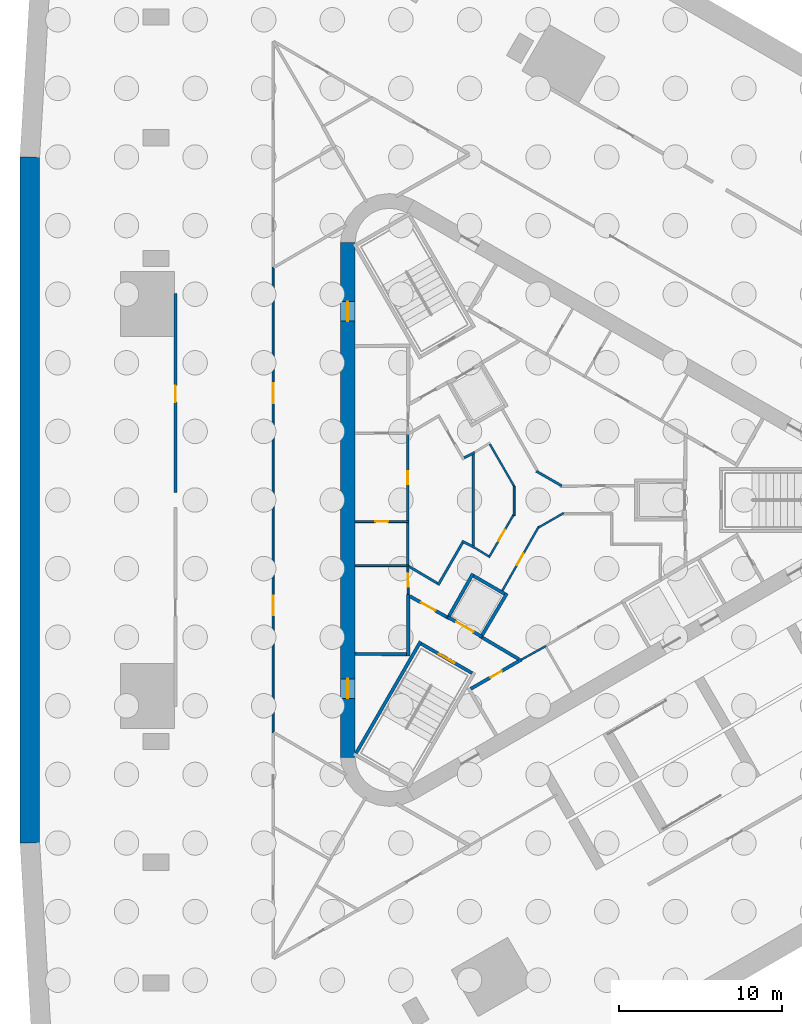
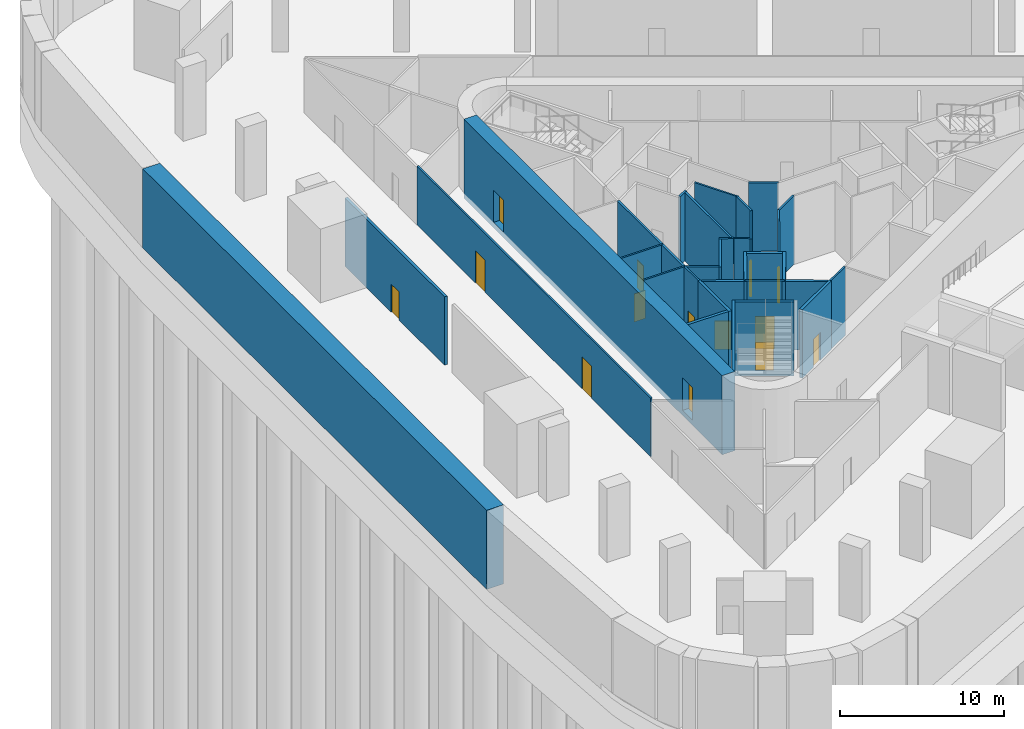
# One storey, part 5 of 13: 32 walls, 14 doors, 14 openings.
"""IFC4 building model written with IfcOpenShell, lengths in metres."""

import ifcopenshell
import ifcopenshell.guid

model = None  # the IFC model being written
_history = None  # IfcOwnerHistory: only IFC2X3 demands one
_inside = {}  # id of a spatial element -> (the spatial element, [elements in it])
_under = {}  # id of a project, library or spatial element -> (it, [spatial elements below it])
_declared = {}  # id of a project -> (the project, [libraries it declares])
_typed = {}  # id of a type object -> (the type object, [elements of that type])
_made_of = {}  # id of a material, layer set ... -> (it, [elements and type objects made of it])


def new_model(schema):
    """Start an empty IFC model of exactly this schema.

    Asked for "IFC4X3", IfcOpenShell would pick the latest addendum, in which some entities
    have other attributes; the version numbers below select the first issue.
    IFC2X3 requires an IfcOwnerHistory on every rooted entity: one is made here for all.
    """
    global model, _history
    if schema == "IFC4X3":
        model = ifcopenshell.file(schema_version=(4, 3, 0, 0))
    else:
        model = ifcopenshell.file(schema=schema)
    _inside.clear()
    _under.clear()
    _declared.clear()
    _typed.clear()
    _made_of.clear()
    _history = None
    if model.schema == "IFC2X3":
        org = make("IfcOrganization", Name="unknown")
        user = make(
            "IfcPersonAndOrganization",
            ThePerson=make("IfcPerson", FamilyName="unknown"),
            TheOrganization=org,
        )
        app = make(
            "IfcApplication",
            ApplicationDeveloper=org,
            Version="unknown",
            ApplicationFullName="unknown",
            ApplicationIdentifier="unknown",
        )
        _history = make(
            "IfcOwnerHistory",
            OwningUser=user,
            OwningApplication=app,
            ChangeAction="ADDED",
            CreationDate=0,
        )
    return model


def make(cls, **values):
    """One entity of the class cls with the attributes given. An attribute that is None is left unset."""
    return model.create_entity(
        cls, **{name: value for name, value in values.items() if value is not None}
    )


def rooted(cls, **values):
    """An entity with a GlobalId (a new one), such as an element, a storey or a relation."""
    return make(cls, GlobalId=ifcopenshell.guid.new(), OwnerHistory=_history, **values)


def si_unit(unit_type, name, prefix=None):
    """IfcSIUnit, for example si_unit("LENGTHUNIT", "METRE", prefix="MILLI")."""
    return make("IfcSIUnit", UnitType=unit_type, Prefix=prefix, Name=name)


def assignment(units):
    """IfcUnitAssignment: the units of a project."""
    return None if units is None else make("IfcUnitAssignment", Units=units)


def point(xyz):
    """IfcCartesianPoint."""
    return None if xyz is None else make("IfcCartesianPoint", Coordinates=xyz)


def direction(xyz):
    """IfcDirection."""
    return None if xyz is None else make("IfcDirection", DirectionRatios=xyz)


def frame(location, z_axis=None, x_axis=None):
    """IfcAxis2Placement3D, a coordinate frame: its origin and axes. An axis left out is left unset."""
    return make(
        "IfcAxis2Placement3D",
        Location=point(location),
        Axis=direction(z_axis),
        RefDirection=direction(x_axis),
    )


def frame_2d(location, x_axis=None):
    """IfcAxis2Placement2D, a coordinate frame in the plane: its origin and x axis."""
    return make(
        "IfcAxis2Placement2D", Location=point(location), RefDirection=direction(x_axis)
    )


def origin():
    """The frame at (0, 0, 0) with its axes left unset."""
    return frame((0.0, 0.0, 0.0))


def place(relative_to, where):
    """IfcLocalPlacement: puts the frame where relative to a parent placement (None: the world)."""
    return make(
        "IfcLocalPlacement", PlacementRelTo=relative_to, RelativePlacement=where
    )


def context(
    kind, dimensions, precision=None, world=None, true_north=None, identifier=None
):
    """IfcGeometricRepresentationContext, for example the 3D "Model" context."""
    return make(
        "IfcGeometricRepresentationContext",
        ContextIdentifier=identifier,
        ContextType=kind,
        CoordinateSpaceDimension=dimensions,
        Precision=precision,
        WorldCoordinateSystem=world,
        TrueNorth=true_north,
    )


def subcontext(parent, identifier, kind, view, scale=None):
    """IfcGeometricRepresentationSubContext, for example "Body" below "Model"."""
    return make(
        "IfcGeometricRepresentationSubContext",
        ContextIdentifier=identifier,
        ContextType=kind,
        ParentContext=parent,
        TargetScale=scale,
        TargetView=view,
    )


def project(units=None, contexts=None):
    """IfcProject with its units and contexts."""
    return rooted(
        "IfcProject",
        Name="project",
        RepresentationContexts=contexts,
        UnitsInContext=assignment(units),
    )


def spatial(cls, under=None, at=None, **own):
    """A site, building, storey or space (cls), placed at a placement, below another one or the project."""
    s = rooted(cls, ObjectPlacement=at, **own)
    if under is not None:
        _under.setdefault(under.id(), (under, []))[1].append(s)
    return s


def profile(cls, at=None, kind="AREA", **sizes):
    """A parametric profile (cls). Its sizes go by their IFC names, for example OverallWidth=200.0."""
    return make(cls, ProfileType=kind, Position=at, **sizes)


def rectangle(**sizes):
    """IfcRectangleProfileDef."""
    return profile("IfcRectangleProfileDef", **sizes)


def extrude(swept, where, along, depth):
    """IfcExtrudedAreaSolid: the profile swept, set in the frame where, extruded along a direction by depth."""
    return make(
        "IfcExtrudedAreaSolid",
        SweptArea=swept,
        Position=where,
        ExtrudedDirection=direction(along),
        Depth=depth,
    )


def shape(context_of_items, identifier, shape_type, items):
    """IfcShapeRepresentation: the items that make up one representation, for example the "Body"."""
    return make(
        "IfcShapeRepresentation",
        ContextOfItems=context_of_items,
        RepresentationIdentifier=identifier,
        RepresentationType=shape_type,
        Items=items,
    )


def material(Name=None, Category=None):
    """IfcMaterial."""
    return make("IfcMaterial", Name=Name, Category=Category)


def layer(
    of_material, thickness, ventilated=None, Name=None, Category=None, Priority=None
):
    """IfcMaterialLayer: one layer of a wall or slab, of a material (None: an air gap)."""
    return make(
        "IfcMaterialLayer",
        Material=of_material,
        LayerThickness=thickness,
        IsVentilated=ventilated,
        Name=Name,
        Category=Category,
        Priority=Priority,
    )


def layer_set(layers, Name=None):
    """IfcMaterialLayerSet."""
    return make("IfcMaterialLayerSet", MaterialLayers=layers, LayerSetName=Name)


def made_of(thing, what):
    """Note that an element or type object is made of a material, layer set ...; save() writes the relation."""
    if what is not None:
        _made_of.setdefault(what.id(), (what, []))[1].append(thing)
    return thing


def type_object(cls, material=None, **own):
    """A type object (cls), such as IfcWallType, which elements share."""
    return made_of(rooted(cls, **own), material)


def element(
    cls,
    number,
    at=None,
    inside=None,
    cuts=None,
    type_object=None,
    material=None,
    context=None,
    identifier="Body",
    shape_type=None,
    held_by="IfcProductDefinitionShape",
    body=None,
    shapes=None,
    **own,
):
    """One element of the class cls, such as IfcWall. Its Tag is "e" and its number.

    at: its placement. inside: the storey or other place that contains it. cuts: it is an
    opening in that element (IfcRelVoidsElement). A single representation is given by context,
    identifier, shape_type and body (its items); several are given by shapes. held_by: the class
    of the entity that holds the representations. save() writes the other relations.
    """
    e = rooted(cls, Tag="e%d" % number, ObjectPlacement=at, **own)
    if body is not None:
        shapes = [shape(context, identifier, shape_type, body)]
    if shapes is not None:
        e.Representation = make(held_by, Representations=shapes)
    if inside is not None:
        _inside.setdefault(inside.id(), (inside, []))[1].append(e)
    if cuts is not None:
        rooted(
            "IfcRelVoidsElement", RelatingBuildingElement=cuts, RelatedOpeningElement=e
        )
    if type_object is not None:
        _typed.setdefault(type_object.id(), (type_object, []))[1].append(e)
    return made_of(e, material)


def fill(opening, filler):
    """IfcRelFillsElement: the door or window that sits in an opening."""
    return rooted(
        "IfcRelFillsElement",
        RelatingOpeningElement=opening,
        RelatedBuildingElement=filler,
    )


def aggregate(whole, parts):
    """IfcRelAggregates: a whole, such as a stair, and the parts it consists of."""
    return rooted("IfcRelAggregates", RelatingObject=whole, RelatedObjects=parts)


def save(model, path):
    """Write the relations noted so far, then the file.

    IfcRelAggregates (storeys below a building ...), IfcRelContainedInSpatialStructure (elements
    in a storey), IfcRelDefinesByType, IfcRelAssociatesMaterial and IfcRelDeclares: one each for
    every whole, place, type object, material and project.
    """
    for whole, parts in _under.values():
        aggregate(whole, parts)
    for where, things in _inside.values():
        rooted(
            "IfcRelContainedInSpatialStructure",
            RelatedElements=things,
            RelatingStructure=where,
        )
    for kind, things in _typed.values():
        rooted("IfcRelDefinesByType", RelatedObjects=things, RelatingType=kind)
    for what, things in _made_of.values():
        rooted("IfcRelAssociatesMaterial", RelatedObjects=things, RelatingMaterial=what)
    for by, libraries in _declared.values():
        rooted("IfcRelDeclares", RelatingContext=by, RelatedDefinitions=libraries)
    model.write(path)


model = new_model("IFC4")

# Units and contexts
model_context = context("Model", 3, precision=1e-05, world=origin(), true_north=direction((0.0, 1.0)))
body_context = subcontext(model_context, "Body", "Model", "MODEL_VIEW")
ifc_project = project(units=[si_unit("LENGTHUNIT", "METRE"), si_unit("AREAUNIT", "SQUARE_METRE"), si_unit("VOLUMEUNIT", "CUBIC_METRE"), si_unit("PLANEANGLEUNIT", "RADIAN"), si_unit("MASSUNIT", "GRAM", prefix="KILO")], contexts=[model_context])

# Site, building, storey
site_placement = place(None, origin())
site = spatial("IfcSite", under=ifc_project, at=site_placement, CompositionType="ELEMENT")
building_placement = place(site_placement, origin())
building = spatial("IfcBuilding", under=site, at=building_placement, Name="Tanit Gate Tower", CompositionType="ELEMENT")
storey_placement = place(building_placement, frame((0.0, 0.0, -11.0)))
storey = spatial("IfcBuildingStorey", under=building, at=storey_placement, Name="B2", CompositionType="ELEMENT", Elevation=-11.0)

# Wall, openings, doors
ifc_material_1 = material(Name="Concrete C60/75", Category="concrete")
ifc_layer_1 = layer(ifc_material_1, 0.89990234375)
ifc_layer_set_1 = layer_set([ifc_layer_1], Name="CORE WALL 900 C60/75")
wall_type_1 = type_object("IfcWallType", Name="CORE WALL 900 C60/75", PredefinedType="SHEAR", material=ifc_layer_set_1)
wall_1_placement = place(storey_placement, frame((-11.64990234375, 15.76171875, -0.39990234375), z_axis=(0.0, 0.0, 1.0), x_axis=(0.0, -1.0, 0.0)))
wall_1 = element("IfcWall", 1, at=wall_1_placement, inside=storey, type_object=wall_type_1, Name="CORE WALL", PredefinedType="SHEAR", context=body_context, shape_type="SweptSolid", body=[
    extrude(rectangle(XDim=31.5234375, YDim=0.89990234375, at=frame_2d((15.76171875, 0.0))), origin(), (0.0, 0.0, 1.0), 5.89990234375),
])
opening_1_placement = place(wall_1_placement, frame((3.61181640625, 0.0, 0.39990234375)))
opening_1 = element("IfcOpeningElement", 2, at=opening_1_placement, cuts=wall_1, Name="Opening F12-B2-FL2", PredefinedType="OPENING", context=body_context, shape_type="SweptSolid", body=[
    extrude(rectangle(XDim=1.199951171875, YDim=2.39990234375, at=frame_2d((0.60009765625, 1.199951171875))), frame((0.0, 0.4599609375, 0.0), z_axis=(0.0, -1.0, 0.0), x_axis=(1.0, 0.0, 0.0)), (0.0, 0.0, 1.0), 0.919921875),
])
opening_2_placement = place(wall_1_placement, frame((26.711669921875, 0.0, 0.39990234375)))
opening_2 = element("IfcOpeningElement", 3, at=opening_2_placement, cuts=wall_1, Name="Opening F12-B2-S3", PredefinedType="OPENING", context=body_context, shape_type="SweptSolid", body=[
    extrude(rectangle(XDim=1.199951171875, YDim=2.39990234375, at=frame_2d((0.60009765625, 1.199951171875))), frame((0.0, 0.4599609375, 0.0), z_axis=(0.0, -1.0, 0.0), x_axis=(1.0, 0.0, 0.0)), (0.0, 0.0, 1.0), 0.919921875),
])
ifc_material_2 = material(Name="Fire-rated steel door leaf", Category="steel")
door_type_1 = type_object("IfcDoorType", Name="INT-DOOR-FIRE-LOBBY-1200", OperationType="NOTDEFINED", PredefinedType="USERDEFINED", material=ifc_material_2)
door_1_placement = place(opening_1_placement, origin())
door_1 = element("IfcDoor", 4, at=door_1_placement, inside=storey, type_object=door_type_1, Name="Door F12-B2-FL2", ObjectType="FIRE DOOR", OperationType="SINGLE_SWING_LEFT", OverallHeight=2.39990234375, OverallWidth=1.199951171875, PredefinedType="USERDEFINED", context=body_context, shape_type="SweptSolid", body=[
    extrude(rectangle(XDim=1.199951171875, YDim=2.39990234375, at=frame_2d((0.60009765625, 1.199951171875))), frame((0.0, 0.02490234375, 0.0), z_axis=(0.0, -1.0, 0.0), x_axis=(1.0, 0.0, 0.0)), (0.0, 0.0, 1.0), 0.050048828125),
])
fill(opening_1, door_1)
door_2_placement = place(opening_2_placement, origin())
door_2 = element("IfcDoor", 5, at=door_2_placement, inside=storey, type_object=door_type_1, Name="Door F12-B2-S3", ObjectType="FIRE DOOR", OperationType="SINGLE_SWING_LEFT", OverallHeight=2.39990234375, OverallWidth=1.199951171875, PredefinedType="USERDEFINED", context=body_context, shape_type="SweptSolid", body=[
    extrude(rectangle(XDim=1.199951171875, YDim=2.39990234375, at=frame_2d((0.60009765625, 1.199951171875))), frame((0.0, 0.02490234375, 0.0), z_axis=(0.0, -1.0, 0.0), x_axis=(1.0, 0.0, 0.0)), (0.0, 0.0, 1.0), 0.050048828125),
])
fill(opening_2, door_2)

# Walls
ifc_material_3 = material(Name="Concrete C35/45", Category="concrete")
ifc_layer_2 = layer(ifc_material_3, 1.199951171875)
ifc_layer_set_2 = layer_set([ifc_layer_2], Name="DIAPHRAGM WALL 1200 C35/45")
wall_type_2 = type_object("IfcWallType", Name="DIAPHRAGM WALL 1200 C35/45", PredefinedType="SHEAR", material=ifc_layer_set_2)
wall_2_placement = place(storey_placement, frame((-31.1171875, -20.98974609375, -0.39990234375), z_axis=(0.0, 0.0, 1.0), x_axis=(-6.9786511e-05, 0.999999997565, 0.0)))
element("IfcWall", 6, at=wall_2_placement, inside=storey, type_object=wall_type_2, Name="DIAPHRAGM WALL", PredefinedType="SHEAR", context=body_context, shape_type="SweptSolid", body=[
    extrude(rectangle(XDim=41.980712890625, YDim=1.199951171875, at=frame_2d((20.990234375, 0.0))), origin(), (0.0, 0.0, 1.0), 5.89990234375),
])
ifc_material_4 = material(Name="Fire-rated gypsum board partition")
ifc_layer_3 = layer(ifc_material_4, 0.199951171875)
ifc_layer_set_3 = layer_set([ifc_layer_3], Name="INT-WALL-COMPARTMENT")
wall_type_3 = type_object("IfcWallType", Name="INT-WALL-COMPARTMENT", PredefinedType="PARTITIONING", material=ifc_layer_set_3)
wall_3_placement = place(storey_placement, frame((-7.949951171875, -9.550048828125, 0.0), z_axis=(0.0, 0.0, 1.0), x_axis=(0.0, 1.0, 0.0)))
element("IfcWall", 7, at=wall_3_placement, inside=storey, type_object=wall_type_3, Name="Wall Compartment W041", PredefinedType="PARTITIONING", context=body_context, shape_type="SweptSolid", body=[
    extrude(rectangle(XDim=3.777587890625, YDim=0.199951171875, at=frame_2d((1.888671875, 0.0))), origin(), (0.0, 0.0, 1.0), 5.10009765625),
])
wall_4_placement = place(storey_placement, frame((-11.199951171875, -9.419921875, 0.0), z_axis=(0.0, 0.0, 1.0), x_axis=(0.999957467379, -0.009222983926, 0.0)))
element("IfcWall", 8, at=wall_4_placement, inside=storey, type_object=wall_type_3, Name="Wall Compartment W042", PredefinedType="PARTITIONING", context=body_context, shape_type="SweptSolid", body=[
    extrude(rectangle(XDim=3.150146484375, YDim=0.199951171875, at=frame_2d((1.5751953125, 0.0))), origin(), (0.0, 0.0, 1.0), 5.10009765625),
])

# Wall, opening, door
wall_5_placement = place(storey_placement, frame((-1.02392578125, -9.77099609375, 0.0), z_axis=(0.0, 0.0, 1.0), x_axis=(-0.866029903013, -0.499992207027, 0.0)))
wall_5 = element("IfcWall", 9, at=wall_5_placement, inside=storey, type_object=wall_type_3, Name="Wall Compartment W057", PredefinedType="PARTITIONING", context=body_context, shape_type="SweptSolid", body=[
    extrude(rectangle(XDim=3.57763671875, YDim=0.199951171875, at=frame_2d((1.788818359375, 0.0))), origin(), (0.0, 0.0, 1.0), 5.10009765625),
])
opening_3_placement = place(wall_5_placement, frame((1.388916015625, 0.0, 0.0)))
opening_3 = element("IfcOpeningElement", 10, at=opening_3_placement, cuts=wall_5, Name="Opening R08-B2-20", PredefinedType="OPENING", context=body_context, shape_type="SweptSolid", body=[
    extrude(rectangle(XDim=0.800048828125, YDim=2.10009765625, at=frame_2d((0.39990234375, 1.050048828125))), frame((0.0, 0.10986328125, 0.0), z_axis=(0.0, -1.0, 0.0), x_axis=(1.0, 0.0, 0.0)), (0.0, 0.0, 1.0), 0.219970703125),
])
ifc_material_5 = material(Name="Timber door leaf", Category="wood")
door_type_2 = type_object("IfcDoorType", Name="INT-DOOR-RISER-800", OperationType="NOTDEFINED", PredefinedType="USERDEFINED", material=ifc_material_5)
door_3_placement = place(opening_3_placement, origin())
door_3 = element("IfcDoor", 11, at=door_3_placement, inside=storey, type_object=door_type_2, Name="Door R08-B2-20", ObjectType="FIRE DOOR", OperationType="SINGLE_SWING_LEFT", OverallHeight=2.10009765625, OverallWidth=0.800048828125, PredefinedType="USERDEFINED", context=body_context, shape_type="SweptSolid", body=[
    extrude(rectangle(XDim=0.800048828125, YDim=2.10009765625, at=frame_2d((0.39990234375, 1.050048828125))), frame((0.0, 0.02490234375, 0.0), z_axis=(0.0, -1.0, 0.0), x_axis=(1.0, 0.0, 0.0)), (0.0, 0.0, 1.0), 0.050048828125),
])
fill(opening_3, door_3)

# Wall
wall_6_placement = place(storey_placement, frame((-3.400634765625, -8.43017578125, 0.0), z_axis=(0.0, 0.0, 1.0), x_axis=(0.860630814782, -0.509229418482, 0.0)))
element("IfcWall", 12, at=wall_6_placement, inside=storey, type_object=wall_type_3, Name="Wall Compartment W066", PredefinedType="PARTITIONING", context=body_context, shape_type="SweptSolid", body=[
    extrude(rectangle(XDim=2.581787109375, YDim=0.199951171875, at=frame_2d((1.291015625, 0.0))), origin(), (0.0, 0.0, 1.0), 5.10009765625),
])

# Wall, opening, door
wall_7_placement = place(storey_placement, frame((-7.85009765625, -5.893310546875, 0.0), z_axis=(0.0, 0.0, 1.0), x_axis=(0.871350695252, -0.490660744185, 0.0)))
wall_7 = element("IfcWall", 13, at=wall_7_placement, inside=storey, type_object=wall_type_3, Name="Wall Compartment W067", PredefinedType="PARTITIONING", context=body_context, shape_type="SweptSolid", body=[
    extrude(rectangle(XDim=2.58203125, YDim=0.199951171875, at=frame_2d((1.291015625, 0.0))), origin(), (0.0, 0.0, 1.0), 5.10009765625),
])
opening_4_placement = place(wall_7_placement, frame((0.791015625, 0.0, 0.0)))
opening_4 = element("IfcOpeningElement", 14, at=opening_4_placement, cuts=wall_7, Name="Opening F10-B2-08", PredefinedType="OPENING", context=body_context, shape_type="SweptSolid", body=[
    extrude(rectangle(XDim=1.0, YDim=2.10009765625, at=frame_2d((0.5, 1.050048828125))), frame((0.0, 0.10986328125, 0.0), z_axis=(0.0, -1.0, 0.0), x_axis=(1.0, 0.0, 0.0)), (0.0, 0.0, 1.0), 0.219970703125),
])
ifc_material_6 = material(Name="Fire-rated steel door leaf", Category="steel")
door_type_3 = type_object("IfcDoorType", Name="INT-DOOR-FIRE-1000", OperationType="NOTDEFINED", PredefinedType="USERDEFINED", material=ifc_material_6)
door_4_placement = place(opening_4_placement, origin())
door_4 = element("IfcDoor", 15, at=door_4_placement, inside=storey, type_object=door_type_3, Name="Door F10-B2-08", ObjectType="FIRE DOOR", OperationType="SINGLE_SWING_RIGHT", OverallHeight=2.10009765625, OverallWidth=1.0, PredefinedType="USERDEFINED", context=body_context, shape_type="SweptSolid", body=[
    extrude(rectangle(XDim=1.0, YDim=2.10009765625, at=frame_2d((0.5, 1.050048828125))), frame((0.0, 0.02490234375, 0.0), z_axis=(0.0, -1.0, 0.0), x_axis=(1.0, 0.0, 0.0)), (0.0, 0.0, 1.0), 0.050048828125),
])
fill(opening_4, door_4)

wall_8_placement = place(storey_placement, frame((-22.199951171875, 12.6298828125, 0.0), z_axis=(0.0, 0.0, 1.0), x_axis=(0.0, -1.0, 0.0)))
wall_8 = element("IfcWall", 16, at=wall_8_placement, inside=storey, type_object=wall_type_3, Name="Wall Compartment W106", PredefinedType="PARTITIONING", context=body_context, shape_type="SweptSolid", body=[
    extrude(rectangle(XDim=12.159912109375, YDim=0.199951171875, at=frame_2d((6.080078125, 0.0))), origin(), (0.0, 0.0, 1.0), 5.10009765625),
])
opening_5_placement = place(wall_8_placement, frame((5.6298828125, 0.0, 0.0)))
opening_5 = element("IfcOpeningElement", 17, at=opening_5_placement, cuts=wall_8, Name="Opening F10-B2-43", PredefinedType="OPENING", context=body_context, shape_type="SweptSolid", body=[
    extrude(rectangle(XDim=1.0, YDim=2.10009765625, at=frame_2d((0.5, 1.050048828125))), frame((0.0, 0.10986328125, 0.0), z_axis=(0.0, -1.0, 0.0), x_axis=(1.0, 0.0, 0.0)), (0.0, 0.0, 1.0), 0.219970703125),
])
door_5_placement = place(opening_5_placement, origin())
door_5 = element("IfcDoor", 18, at=door_5_placement, inside=storey, type_object=door_type_3, Name="Door F10-B2-43", ObjectType="FIRE DOOR", OperationType="SINGLE_SWING_LEFT", OverallHeight=2.10009765625, OverallWidth=1.0, PredefinedType="USERDEFINED", context=body_context, shape_type="SweptSolid", body=[
    extrude(rectangle(XDim=1.0, YDim=2.10009765625, at=frame_2d((0.5, 1.050048828125))), frame((0.0, 0.02490234375, 0.0), z_axis=(0.0, -1.0, 0.0), x_axis=(1.0, 0.0, 0.0)), (0.0, 0.0, 1.0), 0.050048828125),
])
fill(opening_5, door_5)

ifc_material_7 = material(Name="Gypsum board partition")
ifc_layer_4 = layer(ifc_material_7, 0.1201171875)
ifc_layer_set_4 = layer_set([ifc_layer_4], Name="INT-WALL-PARTITION")
wall_type_4 = type_object("IfcWallType", Name="INT-WALL-PARTITION", PredefinedType="PARTITIONING", material=ifc_layer_set_4)
wall_9_placement = place(storey_placement, frame((-11.199951171875, -1.320068359375, 0.0), z_axis=(0.0, 0.0, 1.0), x_axis=(1.0, 0.0, 0.0)))
wall_9 = element("IfcWall", 19, at=wall_9_placement, inside=storey, type_object=wall_type_4, Name="Wall Partition W037", PredefinedType="PARTITIONING", context=body_context, shape_type="SweptSolid", body=[
    extrude(rectangle(XDim=3.25, YDim=0.1201171875, at=frame_2d((1.625, 0.0))), origin(), (0.0, 0.0, 1.0), 5.10009765625),
])
opening_6_placement = place(wall_9_placement, frame((1.22509765625, 0.0, 0.0)))
opening_6 = element("IfcOpeningElement", 20, at=opening_6_placement, cuts=wall_9, Name="Opening R08-B2-15", PredefinedType="OPENING", context=body_context, shape_type="SweptSolid", body=[
    extrude(rectangle(XDim=0.800048828125, YDim=2.10009765625, at=frame_2d((0.39990234375, 1.050048828125))), frame((0.0, 0.070068359375, 0.0), z_axis=(0.0, -1.0, 0.0), x_axis=(1.0, 0.0, 0.0)), (0.0, 0.0, 1.0), 0.14013671875),
])
door_6_placement = place(opening_6_placement, origin())
door_6 = element("IfcDoor", 21, at=door_6_placement, inside=storey, type_object=door_type_2, Name="Door R08-B2-15", ObjectType="FIRE DOOR", OperationType="SINGLE_SWING_RIGHT", OverallHeight=2.10009765625, OverallWidth=0.800048828125, PredefinedType="USERDEFINED", context=body_context, shape_type="SweptSolid", body=[
    extrude(rectangle(XDim=0.800048828125, YDim=2.10009765625, at=frame_2d((0.39990234375, 1.050048828125))), frame((0.0, 0.02490234375, 0.0), z_axis=(0.0, -1.0, 0.0), x_axis=(1.0, 0.0, 0.0)), (0.0, 0.0, 1.0), 0.050048828125),
])
fill(opening_6, door_6)

# Wall
wall_10_placement = place(storey_placement, frame((-7.949951171875, -4.02001953125, 0.0), z_axis=(0.0, 0.0, 1.0), x_axis=(-1.0, 0.0, 0.0)))
element("IfcWall", 22, at=wall_10_placement, inside=storey, type_object=wall_type_4, Name="Wall Partition W039", PredefinedType="PARTITIONING", context=body_context, shape_type="SweptSolid", body=[
    extrude(rectangle(XDim=3.25, YDim=0.1201171875, at=frame_2d((1.625, 0.0))), origin(), (0.0, 0.0, 1.0), 5.10009765625),
])

# Wall, opening, door
wall_11_placement = place(storey_placement, frame((-7.95068359375, -5.7724609375, 0.0), z_axis=(0.0, 0.0, 1.0), x_axis=(-0.012047318415, 0.999927428426, 0.0)))
wall_11 = element("IfcWall", 23, at=wall_11_placement, inside=storey, type_object=wall_type_4, Name="Wall Partition W043", PredefinedType="PARTITIONING", context=body_context, shape_type="SweptSolid", body=[
    extrude(rectangle(XDim=1.72265625, YDim=0.1201171875, at=frame_2d((0.861328125, 0.0))), origin(), (0.0, 0.0, 1.0), 5.10009765625),
])
opening_7_placement = place(wall_11_placement, frame((0.461181640625, 0.0, 0.0)))
opening_7 = element("IfcOpeningElement", 24, at=opening_7_placement, cuts=wall_11, Name="Opening R08-B2-16", PredefinedType="OPENING", context=body_context, shape_type="SweptSolid", body=[
    extrude(rectangle(XDim=0.800048828125, YDim=2.10009765625, at=frame_2d((0.39990234375, 1.050048828125))), frame((0.0, 0.070068359375, 0.0), z_axis=(0.0, -1.0, 0.0), x_axis=(1.0, 0.0, 0.0)), (0.0, 0.0, 1.0), 0.14013671875),
])
door_7_placement = place(opening_7_placement, origin())
door_7 = element("IfcDoor", 25, at=door_7_placement, inside=storey, type_object=door_type_2, Name="Door R08-B2-16", ObjectType="FIRE DOOR", OperationType="SINGLE_SWING_RIGHT", OverallHeight=2.10009765625, OverallWidth=0.800048828125, PredefinedType="USERDEFINED", context=body_context, shape_type="SweptSolid", body=[
    extrude(rectangle(XDim=0.800048828125, YDim=2.10009765625, at=frame_2d((0.39990234375, 1.050048828125))), frame((0.0, 0.02490234375, 0.0), z_axis=(0.0, -1.0, 0.0), x_axis=(1.0, 0.0, 0.0)), (0.0, 0.0, 1.0), 0.050048828125),
])
fill(opening_7, door_7)

# Wall
wall_12_placement = place(storey_placement, frame((-1.0234375, -9.77197265625, 0.0), z_axis=(0.0, 0.0, 1.0), x_axis=(0.874290944206, 0.485402250592, 0.0)))
element("IfcWall", 26, at=wall_12_placement, inside=storey, type_object=wall_type_4, Name="Wall Partition W058", PredefinedType="PARTITIONING", context=body_context, shape_type="SweptSolid", body=[
    extrude(rectangle(XDim=1.72265625, YDim=0.1201171875, at=frame_2d((0.861328125, 0.0))), origin(), (0.0, 0.0, 1.0), 5.10009765625),
])

# Wall, opening, door
wall_13_placement = place(storey_placement, frame((0.050537109375, -1.611083984375, 0.0), z_axis=(0.0, 0.0, 1.0), x_axis=(-0.49434454467, -0.869266053148, 0.0)))
wall_13 = element("IfcWall", 27, at=wall_13_placement, inside=storey, type_object=wall_type_4, Name="Wall Partition W071", PredefinedType="PARTITIONING", context=body_context, shape_type="SweptSolid", body=[
    extrude(rectangle(XDim=4.5302734375, YDim=0.1201171875, at=frame_2d((2.26513671875, 0.0))), origin(), (0.0, 0.0, 1.0), 5.10009765625),
])
opening_8_placement = place(wall_13_placement, frame((1.916259765625, 0.0, 0.0)))
opening_8 = element("IfcOpeningElement", 28, at=opening_8_placement, cuts=wall_13, Name="Opening R08-B2-11", PredefinedType="OPENING", context=body_context, shape_type="SweptSolid", body=[
    extrude(rectangle(XDim=0.800048828125, YDim=2.10009765625, at=frame_2d((0.39990234375, 1.050048828125))), frame((0.0, 0.070068359375, 0.0), z_axis=(0.0, -1.0, 0.0), x_axis=(1.0, 0.0, 0.0)), (0.0, 0.0, 1.0), 0.14013671875),
])
door_8_placement = place(opening_8_placement, origin())
door_8 = element("IfcDoor", 29, at=door_8_placement, inside=storey, type_object=door_type_2, Name="Door R08-B2-11", ObjectType="FIRE DOOR", OperationType="SINGLE_SWING_LEFT", OverallHeight=2.10009765625, OverallWidth=0.800048828125, PredefinedType="USERDEFINED", context=body_context, shape_type="SweptSolid", body=[
    extrude(rectangle(XDim=0.800048828125, YDim=2.10009765625, at=frame_2d((0.39990234375, 1.050048828125))), frame((0.0, 0.02490234375, 0.0), z_axis=(0.0, -1.0, 0.0), x_axis=(1.0, 0.0, 0.0)), (0.0, 0.0, 1.0), 0.050048828125),
])
fill(opening_8, door_8)

# Walls
wall_14_placement = place(storey_placement, frame((1.562255859375, -0.798095703125, 0.0), z_axis=(0.0, 0.0, 1.0), x_axis=(-0.86601248742, -0.500022371132, 0.0)))
element("IfcWall", 30, at=wall_14_placement, inside=storey, type_object=wall_type_4, Name="Wall Partition W072", PredefinedType="PARTITIONING", context=body_context, shape_type="SweptSolid", body=[
    extrude(rectangle(XDim=1.78515625, YDim=0.1201171875, at=frame_2d((0.892578125, 0.0))), origin(), (0.0, 0.0, 1.0), 5.10009765625),
])
wall_15_placement = place(storey_placement, frame((-1.420166015625, 0.760009765625, 0.0), z_axis=(0.0, 0.0, 1.0), x_axis=(-0.500011413361, 0.866018814177, 0.0)))
element("IfcWall", 31, at=wall_15_placement, inside=storey, type_object=wall_type_4, Name="Wall Partition W085", PredefinedType="PARTITIONING", context=body_context, shape_type="SweptSolid", body=[
    extrude(rectangle(XDim=3.07177734375, YDim=0.1201171875, at=frame_2d((1.535888671875, 0.0))), origin(), (0.0, 0.0, 1.0), 5.10009765625),
])
wall_16_placement = place(storey_placement, frame((-1.47216796875, -0.953857421875, 0.0), z_axis=(0.0, 0.0, 1.0), x_axis=(0.0, 1.0, 0.0)))
element("IfcWall", 32, at=wall_16_placement, inside=storey, type_object=wall_type_4, Name="Wall Partition W086", PredefinedType="PARTITIONING", context=body_context, shape_type="SweptSolid", body=[
    extrude(rectangle(XDim=1.785400390625, YDim=0.1201171875, at=frame_2d((0.892578125, 0.0))), origin(), (0.0, 0.0, 1.0), 5.10009765625),
])

# Wall, opening, door
wall_17_placement = place(storey_placement, frame((-3.01611328125, -3.524169921875, 0.0), z_axis=(0.0, 0.0, 1.0), x_axis=(0.499988681553, 0.866031938394, 0.0)))
wall_17 = element("IfcWall", 33, at=wall_17_placement, inside=storey, type_object=wall_type_4, Name="Wall Partition W087", PredefinedType="PARTITIONING", context=body_context, shape_type="SweptSolid", body=[
    extrude(rectangle(XDim=3.0693359375, YDim=0.1201171875, at=frame_2d((1.53466796875, 0.0))), origin(), (0.0, 0.0, 1.0), 5.10009765625),
])
opening_9_placement = place(wall_17_placement, frame((1.16455078125, 0.0, 0.0)))
opening_9 = element("IfcOpeningElement", 34, at=opening_9_placement, cuts=wall_17, Name="Opening R08-B2-13", PredefinedType="OPENING", context=body_context, shape_type="SweptSolid", body=[
    extrude(rectangle(XDim=0.800048828125, YDim=2.10009765625, at=frame_2d((0.39990234375, 1.050048828125))), frame((0.0, 0.070068359375, 0.0), z_axis=(0.0, -1.0, 0.0), x_axis=(1.0, 0.0, 0.0)), (0.0, 0.0, 1.0), 0.14013671875),
])
door_9_placement = place(opening_9_placement, origin())
door_9 = element("IfcDoor", 35, at=door_9_placement, inside=storey, type_object=door_type_2, Name="Door R08-B2-13", ObjectType="FIRE DOOR", OperationType="SINGLE_SWING_RIGHT", OverallHeight=2.10009765625, OverallWidth=0.800048828125, PredefinedType="USERDEFINED", context=body_context, shape_type="SweptSolid", body=[
    extrude(rectangle(XDim=0.800048828125, YDim=2.10009765625, at=frame_2d((0.39990234375, 1.050048828125))), frame((0.0, 0.02490234375, 0.0), z_axis=(0.0, -1.0, 0.0), x_axis=(1.0, 0.0, 0.0)), (0.0, 0.0, 1.0), 0.050048828125),
])
fill(opening_9, door_9)

# Wall
wall_18_placement = place(storey_placement, frame((-3.869873046875, -2.93017578125, 0.0), z_axis=(0.0, 0.0, 1.0), x_axis=(0.852489850103, -0.522743776119, 0.0)))
element("IfcWall", 36, at=wall_18_placement, inside=storey, type_object=wall_type_4, Name="Wall Partition W088", PredefinedType="PARTITIONING", context=body_context, shape_type="SweptSolid", body=[
    extrude(rectangle(XDim=0.9765625, YDim=0.1201171875, at=frame_2d((0.48828125, 0.0))), origin(), (0.0, 0.0, 1.0), 5.10009765625),
])

# Wall, openings, doors
wall_19_placement = place(storey_placement, frame((-16.219970703125, -14.256103515625, 0.0), z_axis=(0.0, 0.0, 1.0), x_axis=(0.0, 1.0, 0.0)))
wall_19 = element("IfcWall", 37, at=wall_19_placement, inside=storey, type_object=wall_type_4, Name="Wall Partition W091", PredefinedType="PARTITIONING", context=body_context, shape_type="SweptSolid", body=[
    extrude(rectangle(XDim=28.51220703125, YDim=0.1201171875, at=frame_2d((14.256103515625, 0.0))), origin(), (0.0, 0.0, 1.0), 4.3798828125),
])
opening_10_placement = place(wall_19_placement, frame((7.194091796875, 0.0, 0.0)))
opening_10 = element("IfcOpeningElement", 38, at=opening_10_placement, cuts=wall_19, Name="Opening F12-B2-28", PredefinedType="OPENING", context=body_context, shape_type="SweptSolid", body=[
    extrude(rectangle(XDim=1.199951171875, YDim=2.39990234375, at=frame_2d((0.60009765625, 1.199951171875))), frame((0.0, 0.070068359375, 0.0), z_axis=(0.0, -1.0, 0.0), x_axis=(1.0, 0.0, 0.0)), (0.0, 0.0, 1.0), 0.14013671875),
])
opening_11_placement = place(wall_19_placement, frame((20.194091796875, 0.0, 0.0)))
opening_11 = element("IfcOpeningElement", 39, at=opening_11_placement, cuts=wall_19, Name="Opening F12-B2-29", PredefinedType="OPENING", context=body_context, shape_type="SweptSolid", body=[
    extrude(rectangle(XDim=1.199951171875, YDim=2.39990234375, at=frame_2d((0.60009765625, 1.199951171875))), frame((0.0, 0.070068359375, 0.0), z_axis=(0.0, -1.0, 0.0), x_axis=(1.0, 0.0, 0.0)), (0.0, 0.0, 1.0), 0.14013671875),
])
door_10_placement = place(opening_10_placement, origin())
door_10 = element("IfcDoor", 40, at=door_10_placement, inside=storey, type_object=door_type_1, Name="Door F12-B2-28", ObjectType="FIRE DOOR", OperationType="SINGLE_SWING_LEFT", OverallHeight=2.39990234375, OverallWidth=1.199951171875, PredefinedType="USERDEFINED", context=body_context, shape_type="SweptSolid", body=[
    extrude(rectangle(XDim=1.199951171875, YDim=2.39990234375, at=frame_2d((0.60009765625, 1.199951171875))), frame((0.0, 0.02490234375, 0.0), z_axis=(0.0, -1.0, 0.0), x_axis=(1.0, 0.0, 0.0)), (0.0, 0.0, 1.0), 0.050048828125),
])
fill(opening_10, door_10)
door_11_placement = place(opening_11_placement, origin())
door_11 = element("IfcDoor", 41, at=door_11_placement, inside=storey, type_object=door_type_1, Name="Door F12-B2-29", ObjectType="FIRE DOOR", OperationType="SINGLE_SWING_LEFT", OverallHeight=2.39990234375, OverallWidth=1.199951171875, PredefinedType="USERDEFINED", context=body_context, shape_type="SweptSolid", body=[
    extrude(rectangle(XDim=1.199951171875, YDim=2.39990234375, at=frame_2d((0.60009765625, 1.199951171875))), frame((0.0, 0.02490234375, 0.0), z_axis=(0.0, -1.0, 0.0), x_axis=(1.0, 0.0, 0.0)), (0.0, 0.0, 1.0), 0.050048828125),
])
fill(opening_11, door_11)

# Wall, opening, door
ifc_material_8 = material(Name="Fire-rated gypsum board partition")
ifc_layer_5 = layer(ifc_material_8, 0.14990234375)
ifc_layer_set_5 = layer_set([ifc_layer_5], Name="INT-WALL-RISER")
wall_type_5 = type_object("IfcWallType", Name="INT-WALL-RISER", PredefinedType="PLUMBINGWALL", material=ifc_layer_set_5)
wall_20_placement = place(storey_placement, frame((-7.97998046875, 4.050048828125, 0.0), z_axis=(0.0, 0.0, 1.0), x_axis=(0.0, -1.0, 0.0)))
wall_20 = element("IfcWall", 42, at=wall_20_placement, inside=storey, type_object=wall_type_5, Name="Wall Riser W038", PredefinedType="PLUMBINGWALL", context=body_context, shape_type="SweptSolid", body=[
    extrude(rectangle(XDim=8.10009765625, YDim=0.14990234375, at=frame_2d((4.050048828125, 0.0))), origin(), (0.0, 0.0, 1.0), 5.10009765625),
])
opening_12_placement = place(wall_20_placement, frame((2.300048828125, 0.0, 0.0)))
opening_12 = element("IfcOpeningElement", 43, at=opening_12_placement, cuts=wall_20, Name="Opening R08-B2-23", PredefinedType="OPENING", context=body_context, shape_type="SweptSolid", body=[
    extrude(rectangle(XDim=0.800048828125, YDim=2.10009765625, at=frame_2d((0.39990234375, 1.050048828125))), frame((0.0, 0.0849609375, 0.0), z_axis=(0.0, -1.0, 0.0), x_axis=(1.0, 0.0, 0.0)), (0.0, 0.0, 1.0), 0.169921875),
])
door_12_placement = place(opening_12_placement, origin())
door_12 = element("IfcDoor", 44, at=door_12_placement, inside=storey, type_object=door_type_2, Name="Door R08-B2-23", ObjectType="FIRE DOOR", OperationType="SINGLE_SWING_RIGHT", OverallHeight=2.10009765625, OverallWidth=0.800048828125, PredefinedType="USERDEFINED", context=body_context, shape_type="SweptSolid", body=[
    extrude(rectangle(XDim=0.800048828125, YDim=2.10009765625, at=frame_2d((0.39990234375, 1.050048828125))), frame((0.0, 0.02490234375, 0.0), z_axis=(0.0, -1.0, 0.0), x_axis=(1.0, 0.0, 0.0)), (0.0, 0.0, 1.0), 0.050048828125),
])
fill(opening_12, door_12)

# Walls
wall_21_placement = place(storey_placement, frame((-0.11083984375, 1.763916015625, 0.0), z_axis=(0.0, 0.0, 1.0), x_axis=(0.866061671171, -0.499937177781, 0.0)))
element("IfcWall", 45, at=wall_21_placement, inside=storey, type_object=wall_type_5, Name="Wall Riser W069", PredefinedType="PLUMBINGWALL", context=body_context, shape_type="SweptSolid", body=[
    extrude(rectangle(XDim=1.804443359375, YDim=0.14990234375, at=frame_2d((0.90234375, 0.0))), origin(), (0.0, 0.0, 1.0), 5.10009765625),
])
wall_22_placement = place(storey_placement, frame((-3.9638671875, -2.90771484375, 0.0), z_axis=(0.0, 0.0, 1.0), x_axis=(0.0, 1.0, 0.0)))
element("IfcWall", 46, at=wall_22_placement, inside=storey, type_object=wall_type_5, Name="Wall Riser W077", PredefinedType="PLUMBINGWALL", context=body_context, shape_type="SweptSolid", body=[
    extrude(rectangle(XDim=5.8154296875, YDim=0.14990234375, at=frame_2d((2.90771484375, 0.0))), origin(), (0.0, 0.0, 1.0), 5.10009765625),
])
wall_23_placement = place(storey_placement, frame((-4.65478515625, -2.51220703125, 0.0), z_axis=(0.0, 0.0, 1.0), x_axis=(0.885372046241, -0.464883146323, 0.0)))
element("IfcWall", 47, at=wall_23_placement, inside=storey, type_object=wall_type_5, Name="Wall Riser W078", PredefinedType="PLUMBINGWALL", context=body_context, shape_type="SweptSolid", body=[
    extrude(rectangle(XDim=0.87451171875, YDim=0.14990234375, at=frame_2d((0.437255859375, 0.0))), origin(), (0.0, 0.0, 1.0), 5.10009765625),
])
wall_24_placement = place(storey_placement, frame((-6.125732421875, -5.210205078125, 0.0), z_axis=(0.0, 0.0, 1.0), x_axis=(0.499990139034, 0.866031096941, 0.0)))
element("IfcWall", 48, at=wall_24_placement, inside=storey, type_object=wall_type_5, Name="Wall Riser W079", PredefinedType="PLUMBINGWALL", context=body_context, shape_type="SweptSolid", body=[
    extrude(rectangle(XDim=3.0, YDim=0.14990234375, at=frame_2d((1.5, 0.0))), origin(), (0.0, 0.0, 1.0), 5.10009765625),
])
wall_25_placement = place(storey_placement, frame((-7.949951171875, -4.041015625, 0.0), z_axis=(0.0, 0.0, 1.0), x_axis=(0.860090281069, -0.510141851263, 0.0)))
element("IfcWall", 49, at=wall_25_placement, inside=storey, type_object=wall_type_5, Name="Wall Riser W080", PredefinedType="PLUMBINGWALL", context=body_context, shape_type="SweptSolid", body=[
    extrude(rectangle(XDim=2.08935546875, YDim=0.14990234375, at=frame_2d((1.044677734375, 0.0))), origin(), (0.0, 0.0, 1.0), 5.10009765625),
])
wall_26_placement = place(storey_placement, frame((-3.880615234375, 2.918701171875, 0.0), z_axis=(0.0, 0.0, 1.0), x_axis=(-0.885422176933, -0.464787659684, 0.0)))
element("IfcWall", 50, at=wall_26_placement, inside=storey, type_object=wall_type_5, Name="Wall Riser W083", PredefinedType="PLUMBINGWALL", context=body_context, shape_type="SweptSolid", body=[
    extrude(rectangle(XDim=0.724365234375, YDim=0.14990234375, at=frame_2d((0.3623046875, 0.0))), origin(), (0.0, 0.0, 1.0), 5.10009765625),
])

# Wall, opening, door
ifc_material_9 = material(Name="Gypsum shaft wall system")
ifc_layer_6 = layer(ifc_material_9, 0.199951171875)
ifc_layer_set_6 = layer_set([ifc_layer_6], Name="INT-WALL-SHAFT")
wall_type_6 = type_object("IfcWallType", Name="INT-WALL-SHAFT", PredefinedType="PLUMBINGWALL", material=ifc_layer_set_6)
wall_27_placement = place(storey_placement, frame((-3.44580078125, -8.3681640625, 0.0), z_axis=(0.0, 0.0, 1.0), x_axis=(-0.866024647952, 0.500001309137, 0.0)))
wall_27 = element("IfcWall", 51, at=wall_27_placement, inside=storey, type_object=wall_type_6, Name="Wall Shaft W028", PredefinedType="PLUMBINGWALL", context=body_context, shape_type="SweptSolid", body=[
    extrude(rectangle(XDim=2.39990234375, YDim=0.199951171875, at=frame_2d((1.199951171875, 0.0))), origin(), (0.0, 0.0, 1.0), 5.10009765625),
])
opening_13_placement = place(wall_27_placement, frame((0.60009765625, 0.0, 0.0)))
opening_13 = element("IfcOpeningElement", 52, at=opening_13_placement, cuts=wall_27, Name="Opening LDFL3-B2", PredefinedType="OPENING", context=body_context, shape_type="SweptSolid", body=[
    extrude(rectangle(XDim=1.199951171875, YDim=2.39990234375, at=frame_2d((0.60009765625, 1.199951171875))), frame((0.0, 0.10986328125, 0.0), z_axis=(0.0, -1.0, 0.0), x_axis=(1.0, 0.0, 0.0)), (0.0, 0.0, 1.0), 0.219970703125),
])
ifc_material_10 = material(Name="Stainless steel sliding door leaf", Category="steel")
door_type_4 = type_object("IfcDoorType", Name="INT-DOOR-LANDING-1200", OperationType="NOTDEFINED", PredefinedType="USERDEFINED", material=ifc_material_10)
door_13_placement = place(opening_13_placement, origin())
door_13 = element("IfcDoor", 53, at=door_13_placement, inside=storey, type_object=door_type_4, Name="Door LDFL3-B2", ObjectType="LANDING DOOR", OperationType="SLIDING_TO_LEFT", OverallHeight=2.39990234375, OverallWidth=1.199951171875, PredefinedType="USERDEFINED", context=body_context, shape_type="SweptSolid", body=[
    extrude(rectangle(XDim=1.199951171875, YDim=2.39990234375, at=frame_2d((0.60009765625, 1.199951171875))), frame((0.0, 0.02490234375, 0.0), z_axis=(0.0, -1.0, 0.0), x_axis=(1.0, 0.0, 0.0)), (0.0, 0.0, 1.0), 0.050048828125),
])
fill(opening_13, door_13)

# Walls
wall_28_placement = place(storey_placement, frame((-3.95263671875, -4.646240234375, 0.0), z_axis=(0.0, 0.0, 1.0), x_axis=(0.86605622881, -0.499946605688, 0.0)))
element("IfcWall", 54, at=wall_28_placement, inside=storey, type_object=wall_type_6, Name="Wall Shaft W032", PredefinedType="PLUMBINGWALL", context=body_context, shape_type="SweptSolid", body=[
    extrude(rectangle(XDim=2.199951171875, YDim=0.199951171875, at=frame_2d((1.10009765625, 0.0))), origin(), (0.0, 0.0, 1.0), 5.10009765625),
])
wall_29_placement = place(storey_placement, frame((-1.909912109375, -5.7099609375, 0.0), z_axis=(0.0, 0.0, 1.0), x_axis=(-0.508616218331, -0.860993346345, 0.0)))
element("IfcWall", 55, at=wall_29_placement, inside=storey, type_object=wall_type_6, Name="Wall Shaft W030", PredefinedType="PLUMBINGWALL", context=body_context, shape_type="SweptSolid", body=[
    extrude(rectangle(XDim=3.2001953125, YDim=0.199951171875, at=frame_2d((1.60009765625, 0.0))), origin(), (0.0, 0.0, 1.0), 5.10009765625),
])
wall_30_placement = place(storey_placement, frame((-3.989990234375, -4.509033203125, 0.0), z_axis=(0.0, 0.0, 1.0), x_axis=(-0.491358283181, -0.870957540612, 0.0)))
element("IfcWall", 56, at=wall_30_placement, inside=storey, type_object=wall_type_6, Name="Wall Shaft W031", PredefinedType="PLUMBINGWALL", context=body_context, shape_type="SweptSolid", body=[
    extrude(rectangle(XDim=3.200439453125, YDim=0.199951171875, at=frame_2d((1.60009765625, 0.0))), origin(), (0.0, 0.0, 1.0), 5.10009765625),
])
ifc_material_11 = material(Name="Concrete C40/50", Category="concrete")
ifc_layer_7 = layer(ifc_material_11, 0.199951171875)
ifc_layer_set_7 = layer_set([ifc_layer_7], Name="INT-WALL-STAIR")
wall_type_7 = type_object("IfcWallType", Name="INT-WALL-STAIR", PredefinedType="SHEAR", material=ifc_layer_set_7)
wall_31_placement = place(storey_placement, frame((-7.195556640625, -8.662841796875, -0.39990234375), z_axis=(0.0, 0.0, 1.0), x_axis=(-0.499997992926, -0.866026562566, 0.0)))
element("IfcWall", 57, at=wall_31_placement, inside=storey, type_object=wall_type_7, Name="Wall Stair W026", PredefinedType="SHEAR", context=body_context, shape_type="SweptSolid", body=[
    extrude(rectangle(XDim=7.89990234375, YDim=0.199951171875, at=frame_2d((3.949951171875, 0.0))), origin(), (0.0, 0.0, 1.0), 5.5),
])

# Wall, opening, door
wall_32_placement = place(storey_placement, frame((-4.041259765625, -10.599365234375, -0.39990234375), z_axis=(0.0, 0.0, 1.0), x_axis=(-0.866047807691, 0.499961193289, 0.0)))
wall_32 = element("IfcWall", 58, at=wall_32_placement, inside=storey, type_object=wall_type_7, Name="Wall Stair W027", PredefinedType="SHEAR", context=body_context, shape_type="SweptSolid", body=[
    extrude(rectangle(XDim=3.599853515625, YDim=0.199951171875, at=frame_2d((1.7998046875, 0.0))), origin(), (0.0, 0.0, 1.0), 5.5),
])
opening_14_placement = place(wall_32_placement, frame((1.25, 0.0, 0.39990234375)))
opening_14 = element("IfcOpeningElement", 59, at=opening_14_placement, cuts=wall_32, Name="Opening S11-B2-07", PredefinedType="OPENING", context=body_context, shape_type="SweptSolid", body=[
    extrude(rectangle(XDim=1.10009765625, YDim=2.10009765625, at=frame_2d((0.550048828125, 1.050048828125))), frame((0.0, 0.10986328125, 0.0), z_axis=(0.0, -1.0, 0.0), x_axis=(1.0, 0.0, 0.0)), (0.0, 0.0, 1.0), 0.219970703125),
])
ifc_material_12 = material(Name="Timber door leaf", Category="wood")
door_type_5 = type_object("IfcDoorType", Name="INT-DOOR-STAIR-1100", OperationType="NOTDEFINED", PredefinedType="USERDEFINED", material=ifc_material_12)
door_14_placement = place(opening_14_placement, origin())
door_14 = element("IfcDoor", 60, at=door_14_placement, inside=storey, type_object=door_type_5, Name="Door S11-B2-07", ObjectType="FIRE DOOR", OperationType="SINGLE_SWING_LEFT", OverallHeight=2.10009765625, OverallWidth=1.10009765625, PredefinedType="USERDEFINED", context=body_context, shape_type="SweptSolid", body=[
    extrude(rectangle(XDim=1.10009765625, YDim=2.10009765625, at=frame_2d((0.550048828125, 1.050048828125))), frame((0.0, 0.02490234375, 0.0), z_axis=(0.0, -1.0, 0.0), x_axis=(1.0, 0.0, 0.0)), (0.0, 0.0, 1.0), 0.050048828125),
])
fill(opening_14, door_14)

save(model, "model.ifc")
